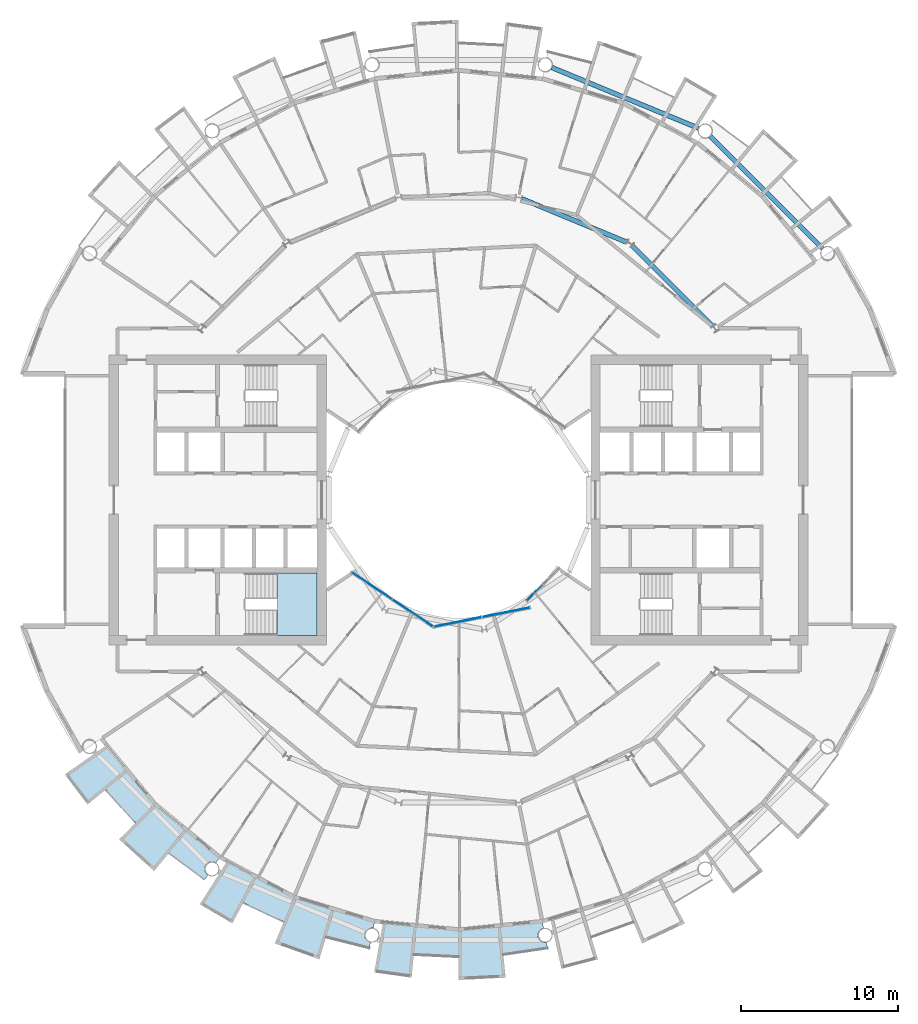
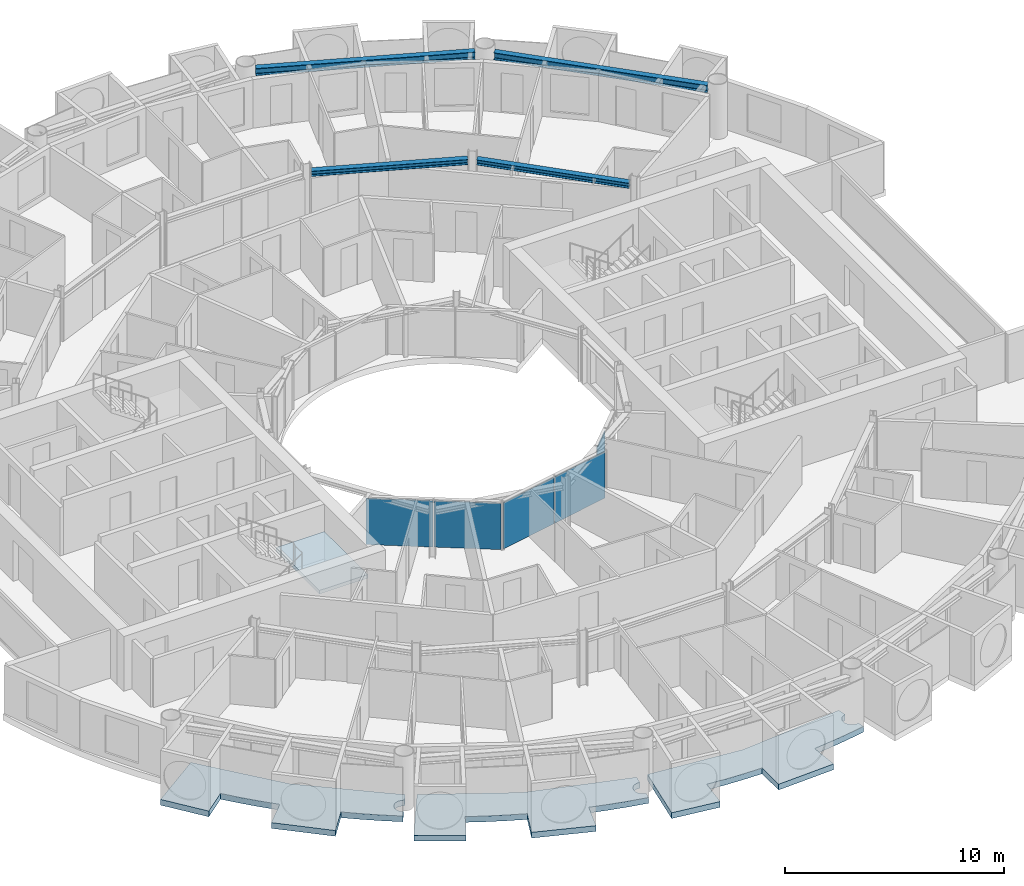
# One storey, part 10 of 27: 5 plates, 4 beams, 4 slabs, 4 elements without a shape of their own.
"""IFC4 building model written with IfcOpenShell, lengths in metres."""

import ifcopenshell
import ifcopenshell.guid

model = None  # the IFC model being written
_history = None  # IfcOwnerHistory: only IFC2X3 demands one
_inside = {}  # id of a spatial element -> (the spatial element, [elements in it])
_under = {}  # id of a project, library or spatial element -> (it, [spatial elements below it])
_declared = {}  # id of a project -> (the project, [libraries it declares])
_typed = {}  # id of a type object -> (the type object, [elements of that type])
_made_of = {}  # id of a material, layer set ... -> (it, [elements and type objects made of it])


def new_model(schema):
    """Start an empty IFC model of exactly this schema.

    Asked for "IFC4X3", IfcOpenShell would pick the latest addendum, in which some entities
    have other attributes; the version numbers below select the first issue.
    IFC2X3 requires an IfcOwnerHistory on every rooted entity: one is made here for all.
    """
    global model, _history
    if schema == "IFC4X3":
        model = ifcopenshell.file(schema_version=(4, 3, 0, 0))
    else:
        model = ifcopenshell.file(schema=schema)
    _inside.clear()
    _under.clear()
    _declared.clear()
    _typed.clear()
    _made_of.clear()
    _history = None
    if model.schema == "IFC2X3":
        org = make("IfcOrganization", Name="unknown")
        user = make(
            "IfcPersonAndOrganization",
            ThePerson=make("IfcPerson", FamilyName="unknown"),
            TheOrganization=org,
        )
        app = make(
            "IfcApplication",
            ApplicationDeveloper=org,
            Version="unknown",
            ApplicationFullName="unknown",
            ApplicationIdentifier="unknown",
        )
        _history = make(
            "IfcOwnerHistory",
            OwningUser=user,
            OwningApplication=app,
            ChangeAction="ADDED",
            CreationDate=0,
        )
    return model


def make(cls, **values):
    """One entity of the class cls with the attributes given. An attribute that is None is left unset."""
    return model.create_entity(
        cls, **{name: value for name, value in values.items() if value is not None}
    )


def rooted(cls, **values):
    """An entity with a GlobalId (a new one), such as an element, a storey or a relation."""
    return make(cls, GlobalId=ifcopenshell.guid.new(), OwnerHistory=_history, **values)


def si_unit(unit_type, name, prefix=None):
    """IfcSIUnit, for example si_unit("LENGTHUNIT", "METRE", prefix="MILLI")."""
    return make("IfcSIUnit", UnitType=unit_type, Prefix=prefix, Name=name)


def assignment(units):
    """IfcUnitAssignment: the units of a project."""
    return None if units is None else make("IfcUnitAssignment", Units=units)


def point(xyz):
    """IfcCartesianPoint."""
    return None if xyz is None else make("IfcCartesianPoint", Coordinates=xyz)


def direction(xyz):
    """IfcDirection."""
    return None if xyz is None else make("IfcDirection", DirectionRatios=xyz)


def frame(location, z_axis=None, x_axis=None):
    """IfcAxis2Placement3D, a coordinate frame: its origin and axes. An axis left out is left unset."""
    return make(
        "IfcAxis2Placement3D",
        Location=point(location),
        Axis=direction(z_axis),
        RefDirection=direction(x_axis),
    )


def frame_2d(location, x_axis=None):
    """IfcAxis2Placement2D, a coordinate frame in the plane: its origin and x axis."""
    return make(
        "IfcAxis2Placement2D", Location=point(location), RefDirection=direction(x_axis)
    )


def origin():
    """The frame at (0, 0, 0) with its axes left unset."""
    return frame((0.0, 0.0, 0.0))


def origin_2d():
    """The frame at (0, 0) in the plane with its x axis left unset."""
    return frame_2d((0.0, 0.0))


def place(relative_to, where):
    """IfcLocalPlacement: puts the frame where relative to a parent placement (None: the world)."""
    return make(
        "IfcLocalPlacement", PlacementRelTo=relative_to, RelativePlacement=where
    )


def context(
    kind, dimensions, precision=None, world=None, true_north=None, identifier=None
):
    """IfcGeometricRepresentationContext, for example the 3D "Model" context."""
    return make(
        "IfcGeometricRepresentationContext",
        ContextIdentifier=identifier,
        ContextType=kind,
        CoordinateSpaceDimension=dimensions,
        Precision=precision,
        WorldCoordinateSystem=world,
        TrueNorth=true_north,
    )


def subcontext(parent, identifier, kind, view, scale=None):
    """IfcGeometricRepresentationSubContext, for example "Body" below "Model"."""
    return make(
        "IfcGeometricRepresentationSubContext",
        ContextIdentifier=identifier,
        ContextType=kind,
        ParentContext=parent,
        TargetScale=scale,
        TargetView=view,
    )


def project(units=None, contexts=None):
    """IfcProject with its units and contexts."""
    return rooted(
        "IfcProject",
        Name="project",
        RepresentationContexts=contexts,
        UnitsInContext=assignment(units),
    )


def spatial(cls, under=None, at=None, **own):
    """A site, building, storey or space (cls), placed at a placement, below another one or the project."""
    s = rooted(cls, ObjectPlacement=at, **own)
    if under is not None:
        _under.setdefault(under.id(), (under, []))[1].append(s)
    return s


def polyline(points):
    """IfcPolyline through the points."""
    return make("IfcPolyline", Points=[point(p) for p in points])


def profile(cls, at=None, kind="AREA", **sizes):
    """A parametric profile (cls). Its sizes go by their IFC names, for example OverallWidth=200.0."""
    return make(cls, ProfileType=kind, Position=at, **sizes)


def rectangle(**sizes):
    """IfcRectangleProfileDef."""
    return profile("IfcRectangleProfileDef", **sizes)


def i_section(**sizes):
    """IfcIShapeProfileDef."""
    return profile("IfcIShapeProfileDef", **sizes)


def outline(outer, holes=None, kind="AREA"):
    """IfcArbitraryClosedProfileDef: a profile drawn as a closed curve; with holes, ...WithVoids."""
    if holes is None:
        return make("IfcArbitraryClosedProfileDef", ProfileType=kind, OuterCurve=outer)
    return make(
        "IfcArbitraryProfileDefWithVoids",
        ProfileType=kind,
        OuterCurve=outer,
        InnerCurves=holes,
    )


def extrude(swept, where, along, depth):
    """IfcExtrudedAreaSolid: the profile swept, set in the frame where, extruded along a direction by depth."""
    return make(
        "IfcExtrudedAreaSolid",
        SweptArea=swept,
        Position=where,
        ExtrudedDirection=direction(along),
        Depth=depth,
    )


def shape(context_of_items, identifier, shape_type, items):
    """IfcShapeRepresentation: the items that make up one representation, for example the "Body"."""
    return make(
        "IfcShapeRepresentation",
        ContextOfItems=context_of_items,
        RepresentationIdentifier=identifier,
        RepresentationType=shape_type,
        Items=items,
    )


def material(Name=None, Category=None):
    """IfcMaterial."""
    return make("IfcMaterial", Name=Name, Category=Category)


def layer(
    of_material, thickness, ventilated=None, Name=None, Category=None, Priority=None
):
    """IfcMaterialLayer: one layer of a wall or slab, of a material (None: an air gap)."""
    return make(
        "IfcMaterialLayer",
        Material=of_material,
        LayerThickness=thickness,
        IsVentilated=ventilated,
        Name=Name,
        Category=Category,
        Priority=Priority,
    )


def layer_set(layers, Name=None):
    """IfcMaterialLayerSet."""
    return make("IfcMaterialLayerSet", MaterialLayers=layers, LayerSetName=Name)


def material_profile(
    of_material, cross_section, Name=None, Category=None, Priority=None
):
    """IfcMaterialProfile: a cross section and its material."""
    return make(
        "IfcMaterialProfile",
        Name=Name,
        Material=of_material,
        Profile=cross_section,
        Priority=Priority,
        Category=Category,
    )


def profile_set(profiles, Name=None, composite=None):
    """IfcMaterialProfileSet."""
    return make(
        "IfcMaterialProfileSet",
        Name=Name,
        MaterialProfiles=profiles,
        CompositeProfile=composite,
    )


def made_of(thing, what):
    """Note that an element or type object is made of a material, layer set ...; save() writes the relation."""
    if what is not None:
        _made_of.setdefault(what.id(), (what, []))[1].append(thing)
    return thing


def type_object(cls, material=None, **own):
    """A type object (cls), such as IfcWallType, which elements share."""
    return made_of(rooted(cls, **own), material)


def element(
    cls,
    number,
    at=None,
    inside=None,
    cuts=None,
    type_object=None,
    material=None,
    context=None,
    identifier="Body",
    shape_type=None,
    held_by="IfcProductDefinitionShape",
    body=None,
    shapes=None,
    **own,
):
    """One element of the class cls, such as IfcWall. Its Tag is "e" and its number.

    at: its placement. inside: the storey or other place that contains it. cuts: it is an
    opening in that element (IfcRelVoidsElement). A single representation is given by context,
    identifier, shape_type and body (its items); several are given by shapes. held_by: the class
    of the entity that holds the representations. save() writes the other relations.
    """
    e = rooted(cls, Tag="e%d" % number, ObjectPlacement=at, **own)
    if body is not None:
        shapes = [shape(context, identifier, shape_type, body)]
    if shapes is not None:
        e.Representation = make(held_by, Representations=shapes)
    if inside is not None:
        _inside.setdefault(inside.id(), (inside, []))[1].append(e)
    if cuts is not None:
        rooted(
            "IfcRelVoidsElement", RelatingBuildingElement=cuts, RelatedOpeningElement=e
        )
    if type_object is not None:
        _typed.setdefault(type_object.id(), (type_object, []))[1].append(e)
    return made_of(e, material)


def aggregate(whole, parts):
    """IfcRelAggregates: a whole, such as a stair, and the parts it consists of."""
    return rooted("IfcRelAggregates", RelatingObject=whole, RelatedObjects=parts)


def save(model, path):
    """Write the relations noted so far, then the file.

    IfcRelAggregates (storeys below a building ...), IfcRelContainedInSpatialStructure (elements
    in a storey), IfcRelDefinesByType, IfcRelAssociatesMaterial and IfcRelDeclares: one each for
    every whole, place, type object, material and project.
    """
    for whole, parts in _under.values():
        aggregate(whole, parts)
    for where, things in _inside.values():
        rooted(
            "IfcRelContainedInSpatialStructure",
            RelatedElements=things,
            RelatingStructure=where,
        )
    for kind, things in _typed.values():
        rooted("IfcRelDefinesByType", RelatedObjects=things, RelatingType=kind)
    for what, things in _made_of.values():
        rooted("IfcRelAssociatesMaterial", RelatedObjects=things, RelatingMaterial=what)
    for by, libraries in _declared.values():
        rooted("IfcRelDeclares", RelatingContext=by, RelatedDefinitions=libraries)
    model.write(path)


model = new_model("IFC4")

# Units and contexts
model_context = context("Model", 3, precision=1e-05, world=origin(), true_north=direction((0.0, 1.0)))
body_context = subcontext(model_context, "Body", "Model", "MODEL_VIEW")
ifc_project = project(units=[si_unit("LENGTHUNIT", "METRE"), si_unit("AREAUNIT", "SQUARE_METRE"), si_unit("VOLUMEUNIT", "CUBIC_METRE"), si_unit("PLANEANGLEUNIT", "RADIAN"), si_unit("MASSUNIT", "GRAM", prefix="KILO")], contexts=[model_context])

# Site, building, storey
site_placement = place(None, origin())
site = spatial("IfcSite", under=ifc_project, at=site_placement, CompositionType="ELEMENT")
building_placement = place(site_placement, origin())
building = spatial("IfcBuilding", under=site, at=building_placement, Name="Maasbend Ring Residences", CompositionType="ELEMENT")
storey_placement = place(building_placement, frame((0.0, 0.0, 111.64990234375)))
storey = spatial("IfcBuildingStorey", under=building, at=storey_placement, Name="L31", CompositionType="ELEMENT", Elevation=111.64990234375)

# Beams
ifc_material_1 = material(Name="Steel S355J2", Category="steel")
ifc_material_profile_1 = material_profile(ifc_material_1, i_section(OverallWidth=0.300048828125, OverallDepth=0.2900390625, WebThickness=0.008544921875, FlangeThickness=0.013916015625, FilletRadius=0.027099609375, at=origin_2d()), Name="HEA 300")
ifc_profile_set_1 = profile_set([ifc_material_profile_1], Name="Steel S355J2")
beam_type_1 = type_object("IfcBeamType", Name="Corridor ring beam HEA 300", PredefinedType="BEAM", material=ifc_profile_set_1)
for number, where, z_axis, x_axis, name in (
    (1, (16.14111328125, 11.044921875, 2.55517578125), (-0.707106781187, 0.707106781187, 0.0), (-0.707106781187, -0.707106781187, 0.0), "Corridor ring beam"),
    (2, (10.685791015625, 16.381103515625, 2.55517578125), (-0.923877693919, 0.382687871089, 0.0), (-0.382687871089, -0.923877693919, 0.0), "Corridor ring beam"),
):
    element("IfcBeam", number, at=place(storey_placement, frame(where, z_axis=z_axis, x_axis=x_axis)), inside=storey, type_object=beam_type_1, Name=name, PredefinedType="BEAM", context=body_context, shape_type="SweptSolid", body=[
        extrude(i_section(OverallWidth=0.300048828125, OverallDepth=0.2900390625, WebThickness=0.008544921875, FlangeThickness=0.013916015625, FilletRadius=0.027099609375, at=origin_2d()), origin(), (0.0, 0.0, 1.0), 7.20703125),
    ])
ifc_material_2 = material(Name="Steel S355J2", Category="steel")
ifc_material_profile_2 = material_profile(ifc_material_2, i_section(OverallWidth=0.300048828125, OverallDepth=0.39990234375, WebThickness=0.013427734375, FlangeThickness=0.02392578125, FilletRadius=0.027099609375, at=origin_2d()), Name="HEB 400")
ifc_profile_set_2 = profile_set([ifc_material_profile_2], Name="Steel S355J2")
beam_type_2 = type_object("IfcBeamType", Name="Spandrel ring beam HEB 400", PredefinedType="SPANDREL", material=ifc_profile_set_2)
for number, where, z_axis, x_axis, name in (
    (3, (23.124267578125, 15.990234375, 2.5), (-0.707106781187, 0.707106781187, 0.0), (-0.707106781187, -0.707106781187, 0.0), "Spandrel ring beam"),
    (4, (15.244873046875, 23.622314453125, 2.5), (-0.92388529709, 0.382669515144, 0.0), (-0.382669515144, -0.92388529709, 0.0), "Spandrel ring beam"),
):
    element("IfcBeam", number, at=place(storey_placement, frame(where, z_axis=z_axis, x_axis=x_axis)), inside=storey, type_object=beam_type_2, Name=name, PredefinedType="SPANDREL", context=body_context, shape_type="SweptSolid", body=[
        extrude(i_section(OverallWidth=0.300048828125, OverallDepth=0.39990234375, WebThickness=0.013427734375, FlangeThickness=0.02392578125, FilletRadius=0.027099609375, at=origin_2d()), origin(), (0.0, 0.0, 1.0), 10.089111328125),
    ])

# Stair, slab
ifc_material_3 = material(Name="Concrete C40/50", Category="concrete")
stair_type = type_object("IfcStairType", Name="CORE STAIR 18 RISERS", PredefinedType="HALF_TURN_STAIR", material=ifc_material_3)
stair_placement = place(storey_placement, origin())
stair = element("IfcStair", 5, at=stair_placement, inside=storey, type_object=stair_type, Name="L31 Exit stair ST-W1", PredefinedType="HALF_TURN_STAIR")
ifc_material_4 = material(Name="Concrete C40/50", Category="concrete")
ifc_layer_1 = layer(ifc_material_4, 0.199951171875)
ifc_layer_set_1 = layer_set([ifc_layer_1], Name="Concrete C40/50")
slab_type_1 = type_object("IfcSlabType", Name="CORE STAIR LANDING 200", PredefinedType="LANDING", material=ifc_layer_set_1)
slab_1_placement = place(storey_placement, frame((0.0, 0.0, 1.3251953125)))
slab_1 = element("IfcSlab", 6, at=slab_1_placement, type_object=slab_type_1, Name="ST-W1 landing 1", PredefinedType="LANDING", context=body_context, shape_type="SweptSolid", body=[
    extrude(outline(polyline([(-11.550048828125, -8.60009765625), (-9.0, -8.60009765625), (-9.0, -4.64990234375), (-11.550048828125, -4.64990234375), (-11.550048828125, -8.60009765625)])), origin(), (0.0, 0.0, 1.0), 0.199951171875),
])
aggregate(stair, [slab_1])

# Curtain wall, plates
ifc_material_5 = material(Name="Aluminium and clear glass", Category="aluminium")
ifc_layer_2 = layer(ifc_material_5, 0.179931640625)
ifc_layer_set_2 = layer_set([ifc_layer_2], Name="CW-W")
curtain_wall_type = type_object("IfcCurtainWallType", Name="CW-W", PredefinedType="NOTDEFINED", material=ifc_layer_set_2)
curtain_wall_1_placement = place(storey_placement, origin())
curtain_wall_1 = element("IfcCurtainWall", 7, at=curtain_wall_1_placement, inside=storey, type_object=curtain_wall_type, Name="Well curtain wall S1", PredefinedType="NOTDEFINED")
ifc_material_6 = material(Name="Glass clear laminated", Category="glass")
ifc_layer_3 = layer(ifc_material_6, 0.031982421875)
ifc_layer_set_3 = layer_set([ifc_layer_3], Name="CWP-W")
plate_type = type_object("IfcPlateType", Name="CWP-W", PredefinedType="CURTAIN_PANEL", material=ifc_layer_set_3)
plate_1_placement = place(storey_placement, frame((-5.51123046875, -5.44580078125, 0.0), z_axis=(0.0, 0.0, 1.0), x_axis=(0.831469612303, -0.55557023302, 0.0)))
plate_1 = element("IfcPlate", 8, at=plate_1_placement, type_object=plate_type, Name="Glass panel well face", PredefinedType="CURTAIN_PANEL", context=body_context, shape_type="SweptSolid", body=[
    extrude(rectangle(XDim=3.053955078125, YDim=0.031982421875, at=origin_2d()), origin(), (0.0, 0.0, 1.0), 2.580078125),
])
plate_2_placement = place(storey_placement, frame((-2.922119140625, -7.17578125, 0.0), z_axis=(0.0, 0.0, 1.0), x_axis=(0.831469612303, -0.55557023302, 0.0)))
plate_2 = element("IfcPlate", 9, at=plate_2_placement, type_object=plate_type, Name="Glass panel well face", PredefinedType="CURTAIN_PANEL", context=body_context, shape_type="SweptSolid", body=[
    extrude(rectangle(XDim=3.053955078125, YDim=0.031982421875, at=origin_2d()), origin(), (0.0, 0.0, 1.0), 2.580078125),
])
aggregate(curtain_wall_1, [plate_1, plate_2])

curtain_wall_2_placement = place(storey_placement, origin())
curtain_wall_2 = element("IfcCurtainWall", 10, at=curtain_wall_2_placement, inside=storey, type_object=curtain_wall_type, Name="Well curtain wall S2", PredefinedType="NOTDEFINED")
plate_3_placement = place(storey_placement, frame((-0.04638671875, -7.747802734375, 0.0), z_axis=(0.0, 0.0, 1.0), x_axis=(0.980785280403, 0.195090322016, 0.0)))
plate_3 = element("IfcPlate", 11, at=plate_3_placement, type_object=plate_type, Name="Glass panel well face", PredefinedType="CURTAIN_PANEL", context=body_context, shape_type="SweptSolid", body=[
    extrude(rectangle(XDim=3.053955078125, YDim=0.031982421875, at=origin_2d()), origin(), (0.0, 0.0, 1.0), 2.580078125),
])
plate_4_placement = place(storey_placement, frame((3.0078125, -7.140380859375, 0.0), z_axis=(0.0, 0.0, 1.0), x_axis=(0.980785280403, 0.195090322016, 0.0)))
plate_4 = element("IfcPlate", 12, at=plate_4_placement, type_object=plate_type, Name="Glass panel well face", PredefinedType="CURTAIN_PANEL", context=body_context, shape_type="SweptSolid", body=[
    extrude(rectangle(XDim=3.053955078125, YDim=0.031982421875, at=origin_2d()), origin(), (0.0, 0.0, 1.0), 2.580078125),
])
aggregate(curtain_wall_2, [plate_3, plate_4])

# Curtain wall, plate
curtain_wall_3_placement = place(storey_placement, origin())
curtain_wall_3 = element("IfcCurtainWall", 13, at=curtain_wall_3_placement, inside=storey, type_object=curtain_wall_type, Name="Well curtain wall S3", PredefinedType="NOTDEFINED")
plate_5_placement = place(storey_placement, frame((4.84375, -5.89013671875, 0.0), z_axis=(0.0, 0.0, 1.0), x_axis=(0.707106781187, 0.707106781187, 0.0)))
plate_5 = element("IfcPlate", 14, at=plate_5_placement, type_object=plate_type, Name="Glass panel well face", PredefinedType="CURTAIN_PANEL", context=body_context, shape_type="SweptSolid", body=[
    extrude(rectangle(XDim=1.419677734375, YDim=0.031982421875, at=origin_2d()), origin(), (0.0, 0.0, 1.0), 2.580078125),
])
aggregate(curtain_wall_3, [plate_5])

# Slabs
ifc_material_7 = material(Name="Concrete C40/50", Category="concrete")
ifc_layer_4 = layer(ifc_material_7, 0.199951171875)
ifc_layer_set_4 = layer_set([ifc_layer_4], Name="Concrete C40/50")
slab_type_2 = type_object("IfcSlabType", Name="SL-LOGGIA", PredefinedType="FLOOR", material=ifc_layer_set_4)
slab_2_placement = place(storey_placement, frame((0.0, 0.0, -0.349853515625)))
element("IfcSlab", 15, at=slab_2_placement, inside=storey, type_object=slab_type_2, Name="Loggia floor 2", PredefinedType="FLOOR", context=body_context, shape_type="SweptSolid", body=[
    extrude(outline(polyline([(-12.806884765625, -23.9609375), (-10.447021484375, -25.221923828125), (-10.447021484375, -25.221923828125), (-10.447021484375, -25.221923828125), (-7.886962890625, -25.9990234375), (-5.325927734375, -26.77490234375), (-5.325927734375, -26.77490234375), (-5.325927734375, -26.77490234375), (-5.412109375, -27.2099609375), (-5.423095703125, -27.2080078125), (-5.43408203125, -27.2060546875), (-5.446044921875, -27.205078125), (-5.45703125, -27.202880859375), (-5.468017578125, -27.201904296875), (-5.47900390625, -27.201904296875), (-5.489990234375, -27.200927734375), (-5.501953125, -27.200927734375), (-5.512939453125, -27.200927734375), (-5.52392578125, -27.201904296875), (-5.534912109375, -27.201904296875), (-5.5458984375, -27.202880859375), (-5.556884765625, -27.205078125), (-5.569091796875, -27.2060546875), (-5.580078125, -27.2080078125), (-5.591064453125, -27.2099609375), (-5.60205078125, -27.2119140625), (-5.613037109375, -27.215087890625), (-5.623046875, -27.218017578125), (-5.634033203125, -27.220947265625), (-5.64501953125, -27.22412109375), (-5.655029296875, -27.22802734375), (-5.666015625, -27.23193359375), (-5.676025390625, -27.236083984375), (-5.68701171875, -27.239990234375), (-5.697021484375, -27.2451171875), (-5.70703125, -27.25), (-5.717041015625, -27.2548828125), (-5.72705078125, -27.260009765625), (-5.736083984375, -27.26611328125), (-5.74609375, -27.27197265625), (-5.7548828125, -27.278076171875), (-5.764892578125, -27.283935546875), (-5.77392578125, -27.291015625), (-5.782958984375, -27.298095703125), (-5.791015625, -27.304931640625), (-5.800048828125, -27.31201171875), (-5.80810546875, -27.319091796875), (-5.81689453125, -27.326904296875), (-5.824951171875, -27.3349609375), (-5.83203125, -27.343017578125), (-5.840087890625, -27.35107421875), (-5.847900390625, -27.360107421875), (-5.85498046875, -27.367919921875), (-5.862060546875, -27.376953125), (-5.868896484375, -27.385986328125), (-5.875, -27.39501953125), (-5.881103515625, -27.404052734375), (-5.887939453125, -27.4140625), (-5.89306640625, -27.423095703125), (-5.89892578125, -27.43310546875), (-5.905029296875, -27.443115234375), (-5.909912109375, -27.452880859375), (-5.9150390625, -27.462890625), (-5.9189453125, -27.472900390625), (-5.924072265625, -27.48291015625), (-5.927978515625, -27.493896484375), (-5.931884765625, -27.50390625), (-5.93505859375, -27.514892578125), (-5.93896484375, -27.52490234375), (-5.94189453125, -27.535888671875), (-5.945068359375, -27.547119140625), (-5.947021484375, -27.55810546875), (-5.949951171875, -27.569091796875), (-5.951904296875, -27.580078125), (-5.9541015625, -27.591064453125), (-5.955078125, -27.60205078125), (-5.9560546875, -27.613037109375), (-5.95703125, -27.6240234375), (-5.9580078125, -27.635986328125), (-5.9580078125, -27.64697265625), (-5.9580078125, -27.657958984375), (-5.9580078125, -27.6689453125), (-5.9580078125, -27.680908203125), (-5.95703125, -27.69189453125), (-5.9560546875, -27.702880859375), (-5.955078125, -27.714111328125), (-5.9541015625, -27.72509765625), (-5.951904296875, -27.736083984375), (-5.949951171875, -27.7470703125), (-5.947021484375, -27.758056640625), (-5.945068359375, -27.76904296875), (-5.94189453125, -27.780029296875), (-5.93896484375, -27.791015625), (-5.93505859375, -27.801025390625), (-5.931884765625, -27.81201171875), (-5.927978515625, -27.822998046875), (-5.924072265625, -27.8330078125), (-5.9189453125, -27.843017578125), (-5.9150390625, -27.85302734375), (-5.909912109375, -27.864013671875), (-5.905029296875, -27.8740234375), (-5.89892578125, -27.883056640625), (-5.89306640625, -27.89306640625), (-5.887939453125, -27.903076171875), (-5.881103515625, -27.912109375), (-5.875, -27.9208984375), (-5.868896484375, -27.929931640625), (-5.862060546875, -27.93896484375), (-5.85498046875, -27.947998046875), (-5.847900390625, -27.95703125), (-5.840087890625, -27.965087890625), (-5.83203125, -27.972900390625), (-5.824951171875, -27.98095703125), (-5.81689453125, -27.989013671875), (-5.80810546875, -27.9970703125), (-5.800048828125, -28.00390625), (-5.791015625, -28.010986328125), (-5.782958984375, -28.01806640625), (-5.77392578125, -28.02490234375), (-5.764892578125, -28.031982421875), (-5.7548828125, -28.0380859375), (-5.74609375, -28.0439453125), (-5.736083984375, -28.050048828125), (-5.72705078125, -28.055908203125), (-5.717041015625, -28.06103515625), (-5.70703125, -28.06591796875), (-5.697021484375, -28.071044921875), (-5.68701171875, -28.075927734375), (-5.676025390625, -28.080078125), (-5.666015625, -28.083984375), (-5.655029296875, -28.087890625), (-5.64501953125, -28.092041015625), (-5.634033203125, -28.094970703125), (-5.623046875, -28.09912109375), (-5.613037109375, -28.10107421875), (-5.60205078125, -28.10400390625), (-5.591064453125, -28.10595703125), (-5.657958984375, -28.443115234375), (-5.657958984375, -28.443115234375), (-5.657958984375, -28.443115234375), (-6.5849609375, -28.241943359375), (-6.5849609375, -28.241943359375), (-7.506103515625, -28.011962890625), (-7.506103515625, -28.011962890625), (-8.41796875, -27.7509765625), (-8.41796875, -27.7509765625), (-8.41796875, -27.7509765625), (-8.41796875, -27.7509765625), (-8.41796875, -27.7509765625), (-8.41796875, -27.7509765625), (-8.41796875, -27.7509765625), (-8.41796875, -27.7509765625), (-8.41796875, -27.7509765625), (-8.41796875, -27.7509765625), (-8.41796875, -27.751953125), (-8.41796875, -27.751953125), (-8.41796875, -27.751953125), (-8.41796875, -27.751953125), (-8.41796875, -27.751953125), (-8.41796875, -27.751953125), (-8.41796875, -27.751953125), (-8.85400390625, -29.18701171875), (-8.85400390625, -29.18701171875), (-8.85400390625, -29.18701171875), (-11.672119140625, -28.177978515625), (-11.672119140625, -28.177978515625), (-11.672119140625, -28.177978515625), (-11.097900390625, -26.79296875), (-11.097900390625, -26.79296875), (-11.097900390625, -26.79296875), (-11.097900390625, -26.79296875), (-11.097900390625, -26.79296875), (-11.097900390625, -26.79296875), (-11.097900390625, -26.79296875), (-11.097900390625, -26.79296875), (-11.097900390625, -26.79296875), (-11.097900390625, -26.79296875), (-11.097900390625, -26.7919921875), (-11.097900390625, -26.7919921875), (-11.097900390625, -26.7919921875), (-11.097900390625, -26.7919921875), (-11.097900390625, -26.7919921875), (-11.097900390625, -26.7919921875), (-11.097900390625, -26.7919921875), (-11.968994140625, -26.4150390625), (-11.968994140625, -26.4150390625), (-12.825927734375, -26.009033203125), (-12.825927734375, -26.009033203125), (-13.669921875, -25.575927734375), (-13.669921875, -25.575927734375), (-13.669921875, -25.575927734375), (-13.669921875, -25.575927734375), (-13.669921875, -25.575927734375), (-13.669921875, -25.575927734375), (-13.669921875, -25.575927734375), (-13.669921875, -25.575927734375), (-13.669921875, -25.575927734375), (-13.669921875, -25.575927734375), (-13.6708984375, -25.575927734375), (-13.6708984375, -25.575927734375), (-13.6708984375, -25.575927734375), (-13.6708984375, -25.575927734375), (-13.6708984375, -25.575927734375), (-13.6708984375, -25.575927734375), (-13.6708984375, -25.575927734375), (-14.3779296875, -26.89892578125), (-14.3779296875, -26.89892578125), (-14.3779296875, -26.89892578125), (-16.44091796875, -25.68994140625), (-16.44091796875, -25.68994140625), (-16.44091796875, -25.68994140625), (-14.68994140625, -22.9541015625), (-14.68994140625, -22.9541015625), (-14.68994140625, -22.9541015625), (-12.806884765625, -23.9609375)])), origin(), (0.0, 0.0, 1.0), 0.320068359375),
])
slab_3_placement = place(storey_placement, frame((0.0, 0.0, -0.349853515625)))
element("IfcSlab", 16, at=slab_3_placement, inside=storey, type_object=slab_type_2, Name="Loggia floor 3", PredefinedType="FLOOR", context=body_context, shape_type="SweptSolid", body=[
    extrude(outline(polyline([(-2.6630859375, -27.0380859375), (0.0, -27.300048828125), (0.0, -27.300048828125), (0.0, -27.300048828125), (2.6630859375, -27.0380859375), (5.325927734375, -26.77490234375), (5.325927734375, -26.77490234375), (5.325927734375, -26.77490234375), (5.412109375, -27.2099609375), (5.412109375, -27.2099609375), (5.40087890625, -27.2119140625), (5.389892578125, -27.215087890625), (5.3798828125, -27.218017578125), (5.368896484375, -27.220947265625), (5.35791015625, -27.22412109375), (5.347900390625, -27.22802734375), (5.3369140625, -27.23193359375), (5.326904296875, -27.236083984375), (5.31591796875, -27.239990234375), (5.305908203125, -27.2451171875), (5.2958984375, -27.25), (5.285888671875, -27.2548828125), (5.27587890625, -27.260009765625), (5.26708984375, -27.26611328125), (5.257080078125, -27.27197265625), (5.248046875, -27.278076171875), (5.238037109375, -27.283935546875), (5.22900390625, -27.291015625), (5.219970703125, -27.298095703125), (5.2119140625, -27.304931640625), (5.202880859375, -27.31201171875), (5.195068359375, -27.319091796875), (5.18603515625, -27.326904296875), (5.177978515625, -27.3349609375), (5.1708984375, -27.343017578125), (5.1630859375, -27.35107421875), (5.155029296875, -27.360107421875), (5.14794921875, -27.367919921875), (5.14111328125, -27.376953125), (5.134033203125, -27.385986328125), (5.1279296875, -27.39501953125), (5.1220703125, -27.404052734375), (5.114990234375, -27.4140625), (5.110107421875, -27.423095703125), (5.10400390625, -27.43310546875), (5.097900390625, -27.443115234375), (5.093017578125, -27.452880859375), (5.087890625, -27.462890625), (5.083984375, -27.472900390625), (5.0791015625, -27.48291015625), (5.074951171875, -27.493896484375), (5.071044921875, -27.50390625), (5.068115234375, -27.514892578125), (5.06396484375, -27.52490234375), (5.06103515625, -27.535888671875), (5.05810546875, -27.547119140625), (5.055908203125, -27.55810546875), (5.052978515625, -27.569091796875), (5.051025390625, -27.580078125), (5.049072265625, -27.591064453125), (5.048095703125, -27.60205078125), (5.047119140625, -27.613037109375), (5.0458984375, -27.6240234375), (5.044921875, -27.635986328125), (5.044921875, -27.64697265625), (5.044921875, -27.657958984375), (5.044921875, -27.6689453125), (5.044921875, -27.680908203125), (5.0458984375, -27.69189453125), (5.047119140625, -27.702880859375), (5.048095703125, -27.714111328125), (5.049072265625, -27.72509765625), (5.051025390625, -27.736083984375), (5.052978515625, -27.7470703125), (5.055908203125, -27.758056640625), (5.05810546875, -27.76904296875), (5.06103515625, -27.780029296875), (5.06396484375, -27.791015625), (5.068115234375, -27.801025390625), (5.071044921875, -27.81201171875), (5.074951171875, -27.822998046875), (5.0791015625, -27.8330078125), (5.083984375, -27.843017578125), (5.087890625, -27.85302734375), (5.093017578125, -27.864013671875), (5.097900390625, -27.8740234375), (5.10400390625, -27.883056640625), (5.110107421875, -27.89306640625), (5.114990234375, -27.903076171875), (5.1220703125, -27.912109375), (5.1279296875, -27.9208984375), (5.134033203125, -27.929931640625), (5.14111328125, -27.93896484375), (5.14794921875, -27.947998046875), (5.155029296875, -27.95703125), (5.1630859375, -27.965087890625), (5.1708984375, -27.972900390625), (5.177978515625, -27.98095703125), (5.18603515625, -27.989013671875), (5.195068359375, -27.9970703125), (5.202880859375, -28.00390625), (5.2119140625, -28.010986328125), (5.219970703125, -28.01806640625), (5.22900390625, -28.02490234375), (5.238037109375, -28.031982421875), (5.248046875, -28.0380859375), (5.257080078125, -28.0439453125), (5.26708984375, -28.050048828125), (5.27587890625, -28.055908203125), (5.285888671875, -28.06103515625), (5.2958984375, -28.06591796875), (5.305908203125, -28.071044921875), (5.31591796875, -28.075927734375), (5.326904296875, -28.080078125), (5.3369140625, -28.083984375), (5.347900390625, -28.087890625), (5.35791015625, -28.092041015625), (5.368896484375, -28.094970703125), (5.3798828125, -28.09912109375), (5.389892578125, -28.10107421875), (5.40087890625, -28.10400390625), (5.412109375, -28.10595703125), (5.423095703125, -28.10791015625), (5.43408203125, -28.110107421875), (5.446044921875, -28.112060546875), (5.45703125, -28.113037109375), (5.468017578125, -28.114013671875), (5.47900390625, -28.114990234375), (5.489990234375, -28.114990234375), (5.501953125, -28.114990234375), (5.512939453125, -28.114990234375), (5.52392578125, -28.114990234375), (5.534912109375, -28.114013671875), (5.5458984375, -28.113037109375), (5.556884765625, -28.112060546875), (5.569091796875, -28.110107421875), (5.580078125, -28.10791015625), (5.591064453125, -28.10595703125), (5.591064453125, -28.10595703125), (5.657958984375, -28.443115234375), (5.657958984375, -28.443115234375), (5.657958984375, -28.443115234375), (4.72412109375, -28.613037109375), (4.72412109375, -28.613037109375), (3.784912109375, -28.751953125), (3.784912109375, -28.751953125), (2.843017578125, -28.860107421875), (2.843017578125, -28.860107421875), (2.843017578125, -28.860107421875), (2.843017578125, -28.860107421875), (2.843017578125, -28.860107421875), (2.843017578125, -28.860107421875), (2.843017578125, -28.860107421875), (2.843017578125, -28.860107421875), (2.843017578125, -28.860107421875), (2.843017578125, -28.861083984375), (2.843017578125, -28.861083984375), (2.843017578125, -28.861083984375), (2.843017578125, -28.861083984375), (2.843017578125, -28.861083984375), (2.843017578125, -28.861083984375), (2.843017578125, -28.861083984375), (2.843017578125, -28.861083984375), (2.989990234375, -30.35302734375), (2.989990234375, -30.35302734375), (2.989990234375, -30.35302734375), (0.0, -30.5), (0.0, -30.5), (0.0, -30.5), (0.0, -29.0), (0.0, -29.0), (0.0, -29.0), (0.0, -29.0), (0.0, -29.0), (0.0, -29.0), (0.0, -29.0), (0.0, -29.0), (0.0, -29.0), (0.0, -29.0), (0.0, -29.0), (0.0, -29.0), (0.0, -29.0), (0.0, -29.0), (0.0, -29.0), (0.0, -29.0), (0.0, -29.0), (-0.948974609375, -28.98388671875), (-0.948974609375, -28.98388671875), (-1.89697265625, -28.93798828125), (-1.89697265625, -28.93798828125), (-2.842041015625, -28.860107421875), (-2.842041015625, -28.860107421875), (-2.842041015625, -28.860107421875), (-2.842041015625, -28.860107421875), (-2.842041015625, -28.860107421875), (-2.842041015625, -28.860107421875), (-2.842041015625, -28.860107421875), (-2.842041015625, -28.860107421875), (-2.842041015625, -28.861083984375), (-2.842041015625, -28.861083984375), (-2.842041015625, -28.861083984375), (-2.842041015625, -28.861083984375), (-2.842041015625, -28.861083984375), (-2.843017578125, -28.861083984375), (-2.843017578125, -28.861083984375), (-2.843017578125, -28.861083984375), (-2.843017578125, -28.861083984375), (-2.989990234375, -30.35302734375), (-2.989990234375, -30.35302734375), (-2.989990234375, -30.35302734375), (-5.35791015625, -30.02587890625), (-5.35791015625, -30.02587890625), (-5.35791015625, -30.02587890625), (-4.7880859375, -26.827880859375), (-4.7880859375, -26.827880859375), (-4.7880859375, -26.827880859375), (-2.6630859375, -27.0380859375)])), origin(), (0.0, 0.0, 1.0), 0.320068359375),
])
slab_4_placement = place(storey_placement, frame((0.0, 0.0, -0.349853515625)))
element("IfcSlab", 17, at=slab_4_placement, inside=storey, type_object=slab_type_2, Name="Loggia floor 5", PredefinedType="FLOOR", context=body_context, shape_type="SweptSolid", body=[
    extrude(outline(polyline([(-21.001953125, -17.236083984375), (-19.303955078125, -19.303955078125), (-19.303955078125, -19.303955078125), (-19.303955078125, -19.303955078125), (-17.236083984375, -21.001953125), (-15.1669921875, -22.698974609375), (-15.1669921875, -22.698974609375), (-15.1669921875, -22.698974609375), (-15.4130859375, -23.06689453125), (-15.4130859375, -23.06689453125), (-15.423095703125, -23.06103515625), (-15.431884765625, -23.054931640625), (-15.44189453125, -23.050048828125), (-15.451904296875, -23.0439453125), (-15.4619140625, -23.0390625), (-15.471923828125, -23.033935546875), (-15.48193359375, -23.030029296875), (-15.491943359375, -23.02490234375), (-15.5029296875, -23.02099609375), (-15.512939453125, -23.01708984375), (-15.52392578125, -23.012939453125), (-15.533935546875, -23.010009765625), (-15.544921875, -23.007080078125), (-15.555908203125, -23.00390625), (-15.56689453125, -23.001953125), (-15.577880859375, -22.9990234375), (-15.589111328125, -22.9970703125), (-15.60009765625, -22.9951171875), (-15.611083984375, -22.993896484375), (-15.6220703125, -22.992919921875), (-15.633056640625, -22.991943359375), (-15.64501953125, -22.990966796875), (-15.656005859375, -22.990966796875), (-15.6669921875, -22.989990234375), (-15.677978515625, -22.990966796875), (-15.68994140625, -22.990966796875), (-15.700927734375, -22.991943359375), (-15.7119140625, -22.992919921875), (-15.722900390625, -22.993896484375), (-15.73388671875, -22.9951171875), (-15.7451171875, -22.9970703125), (-15.756103515625, -22.9990234375), (-15.76708984375, -23.001953125), (-15.778076171875, -23.00390625), (-15.7890625, -23.007080078125), (-15.800048828125, -23.010009765625), (-15.81005859375, -23.012939453125), (-15.821044921875, -23.01708984375), (-15.83203125, -23.02099609375), (-15.842041015625, -23.02490234375), (-15.85205078125, -23.030029296875), (-15.862060546875, -23.033935546875), (-15.873046875, -23.0390625), (-15.883056640625, -23.0439453125), (-15.89208984375, -23.050048828125), (-15.902099609375, -23.054931640625), (-15.912109375, -23.06103515625), (-15.9208984375, -23.06689453125), (-15.929931640625, -23.073974609375), (-15.93896484375, -23.080078125), (-15.947998046875, -23.0869140625), (-15.95703125, -23.093994140625), (-15.966064453125, -23.10107421875), (-15.97412109375, -23.10888671875), (-15.98193359375, -23.115966796875), (-15.989990234375, -23.1240234375), (-15.998046875, -23.132080078125), (-16.006103515625, -23.139892578125), (-16.012939453125, -23.14892578125), (-16.02001953125, -23.156982421875), (-16.027099609375, -23.166015625), (-16.033935546875, -23.175048828125), (-16.041015625, -23.18408203125), (-16.047119140625, -23.194091796875), (-16.052978515625, -23.202880859375), (-16.05908203125, -23.2119140625), (-16.06494140625, -23.221923828125), (-16.070068359375, -23.23193359375), (-16.074951171875, -23.241943359375), (-16.080078125, -23.251953125), (-16.0849609375, -23.261962890625), (-16.089111328125, -23.27294921875), (-16.093017578125, -23.282958984375), (-16.096923828125, -23.29296875), (-16.10107421875, -23.303955078125), (-16.10400390625, -23.31494140625), (-16.10791015625, -23.325927734375), (-16.110107421875, -23.3359375), (-16.113037109375, -23.346923828125), (-16.114990234375, -23.35791015625), (-16.116943359375, -23.368896484375), (-16.118896484375, -23.3798828125), (-16.12109375, -23.39111328125), (-16.1220703125, -23.403076171875), (-16.123046875, -23.4140625), (-16.1240234375, -23.425048828125), (-16.1240234375, -23.43603515625), (-16.1240234375, -23.447021484375), (-16.1240234375, -23.458984375), (-16.1240234375, -23.469970703125), (-16.123046875, -23.48095703125), (-16.1220703125, -23.491943359375), (-16.12109375, -23.5029296875), (-16.118896484375, -23.513916015625), (-16.116943359375, -23.52587890625), (-16.114990234375, -23.537109375), (-16.113037109375, -23.548095703125), (-16.110107421875, -23.55810546875), (-16.10791015625, -23.569091796875), (-16.10400390625, -23.580078125), (-16.10107421875, -23.591064453125), (-16.096923828125, -23.60107421875), (-16.093017578125, -23.612060546875), (-16.089111328125, -23.6220703125), (-16.0849609375, -23.633056640625), (-16.080078125, -23.64306640625), (-16.074951171875, -23.653076171875), (-16.070068359375, -23.6630859375), (-16.06494140625, -23.673095703125), (-16.05908203125, -23.681884765625), (-16.052978515625, -23.69189453125), (-16.047119140625, -23.700927734375), (-16.041015625, -23.7109375), (-16.033935546875, -23.719970703125), (-16.027099609375, -23.72900390625), (-16.02001953125, -23.737060546875), (-16.012939453125, -23.74609375), (-16.006103515625, -23.75390625), (-15.998046875, -23.762939453125), (-15.989990234375, -23.77099609375), (-15.98193359375, -23.778076171875), (-15.97412109375, -23.785888671875), (-15.966064453125, -23.79296875), (-15.95703125, -23.801025390625), (-15.947998046875, -23.80810546875), (-15.93896484375, -23.81396484375), (-15.929931640625, -23.821044921875), (-15.9208984375, -23.826904296875), (-15.9208984375, -23.826904296875), (-16.112060546875, -24.113037109375), (-16.112060546875, -24.113037109375), (-16.112060546875, -24.113037109375), (-16.89208984375, -23.572998046875), (-16.89208984375, -23.572998046875), (-17.654052734375, -23.007080078125), (-17.654052734375, -23.007080078125), (-18.39697265625, -22.41796875), (-18.39697265625, -22.41796875), (-18.39697265625, -22.41796875), (-18.39697265625, -22.41796875), (-18.39697265625, -22.41796875), (-18.39697265625, -22.41796875), (-18.39697265625, -22.41796875), (-18.39697265625, -22.41796875), (-18.39697265625, -22.41796875), (-18.39697265625, -22.41796875), (-18.39697265625, -22.41796875), (-18.39794921875, -22.41796875), (-18.39794921875, -22.41796875), (-18.39794921875, -22.41796875), (-18.39794921875, -22.41796875), (-18.39794921875, -22.41796875), (-18.39794921875, -22.41796875), (-19.34912109375, -23.576904296875), (-19.34912109375, -23.576904296875), (-19.34912109375, -23.576904296875), (-21.56689453125, -21.56689453125), (-21.56689453125, -21.56689453125), (-21.56689453125, -21.56689453125), (-20.506103515625, -20.506103515625), (-20.506103515625, -20.506103515625), (-20.506103515625, -20.506103515625), (-20.506103515625, -20.506103515625), (-20.506103515625, -20.506103515625), (-20.506103515625, -20.506103515625), (-20.506103515625, -20.506103515625), (-20.506103515625, -20.506103515625), (-20.506103515625, -20.506103515625), (-20.506103515625, -20.506103515625), (-20.506103515625, -20.506103515625), (-20.506103515625, -20.506103515625), (-20.506103515625, -20.506103515625), (-20.506103515625, -20.506103515625), (-20.506103515625, -20.506103515625), (-20.506103515625, -20.506103515625), (-20.506103515625, -20.506103515625), (-21.166015625, -19.823974609375), (-21.166015625, -19.823974609375), (-21.802978515625, -19.12109375), (-21.802978515625, -19.12109375), (-22.4169921875, -18.39794921875), (-22.4169921875, -18.39794921875), (-22.4169921875, -18.39794921875), (-22.4169921875, -18.39794921875), (-22.4169921875, -18.39794921875), (-22.4169921875, -18.39794921875), (-22.4169921875, -18.39794921875), (-22.4169921875, -18.39794921875), (-22.4169921875, -18.39794921875), (-22.4169921875, -18.39794921875), (-22.4169921875, -18.39794921875), (-22.4169921875, -18.39794921875), (-22.41796875, -18.39794921875), (-22.41796875, -18.39794921875), (-22.41796875, -18.39794921875), (-22.41796875, -18.39794921875), (-22.41796875, -18.39794921875), (-23.576904296875, -19.34912109375), (-23.576904296875, -19.34912109375), (-23.576904296875, -19.34912109375), (-25.02001953125, -17.44189453125), (-25.02001953125, -17.44189453125), (-25.02001953125, -17.44189453125), (-22.35595703125, -15.5849609375), (-22.35595703125, -15.5849609375), (-22.35595703125, -15.5849609375), (-21.001953125, -17.236083984375)])), origin(), (0.0, 0.0, 1.0), 0.320068359375),
])

save(model, "model.ifc")
